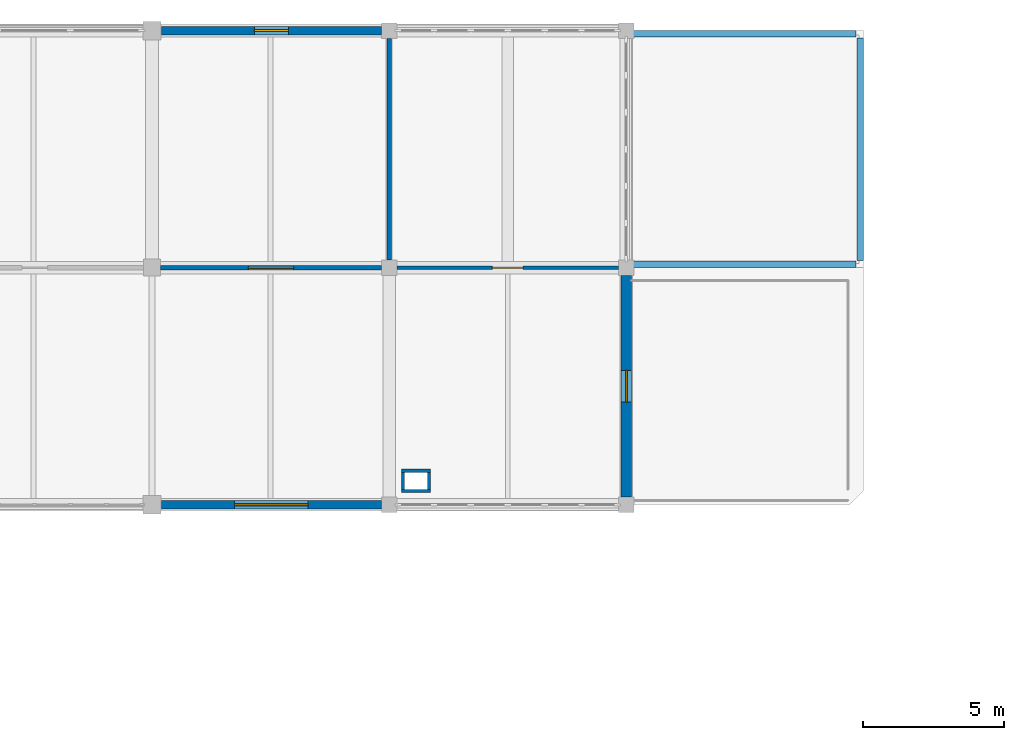
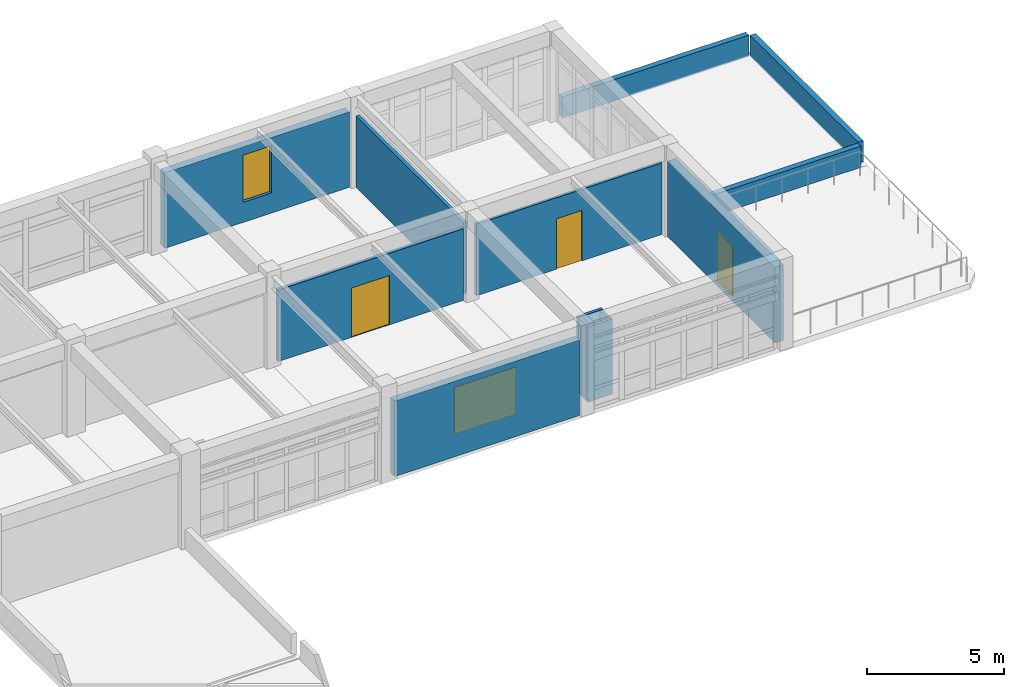
# One storey, part 70 of 74: 13 walls, 3 doors, 2 windows, 5 openings.
"""IFC4 building model written with IfcOpenShell, lengths in metres."""

from ifc_helpers import new_model, si_unit, direction, frame, frame_2d, origin, place, context, subcontext, project, spatial, rectangle, extrude, material, layer, layer_set, type_object, element, fill, save


model = new_model("IFC4")

# Units and contexts
model_context = context("Model", 3, precision=1e-05, world=origin(), true_north=direction((0.0, 1.0)))
body_context = subcontext(model_context, "Body", "Model", "MODEL_VIEW")
ifc_project = project(units=[si_unit("LENGTHUNIT", "METRE"), si_unit("AREAUNIT", "SQUARE_METRE"), si_unit("VOLUMEUNIT", "CUBIC_METRE"), si_unit("PLANEANGLEUNIT", "RADIAN"), si_unit("MASSUNIT", "GRAM", prefix="KILO")], contexts=[model_context])

# Site, building, storey
site_placement = place(None, origin())
site = spatial("IfcSite", under=ifc_project, at=site_placement, CompositionType="ELEMENT")
building_placement = place(site_placement, origin())
building = spatial("IfcBuilding", under=site, at=building_placement, Name="Porcellanite Civic Hall", CompositionType="ELEMENT")
storey_placement = place(building_placement, frame((0.0, 0.0, 14.760009765625)))
storey = spatial("IfcBuildingStorey", under=building, at=storey_placement, Name="L03", CompositionType="ELEMENT", Elevation=14.760009765625)

# Wall, opening, window
ifc_material_1 = material(Name="Precast concrete N40 (40 MPa)", Category="concrete")
ifc_layer_1 = layer(ifc_material_1, 0.300048828125)
ifc_layer_set_1 = layer_set([ifc_layer_1], Name="Precast concrete N40 (40 MPa)")
wall_type_1 = type_object("IfcWallType", Name="EW-ADM300", PredefinedType="SOLIDWALL", material=ifc_layer_set_1)
wall_1_placement = place(storey_placement, frame((142.52392578125, 100.800048828125, 0.0), z_axis=(0.0, 0.0, 1.0), x_axis=(-1.0, 0.0, 0.0)))
wall_1 = element("IfcWall", 1, at=wall_1_placement, inside=storey, type_object=wall_type_1, Name="Exterior wall L03 S 17-13", PredefinedType="SOLIDWALL", context=body_context, shape_type="SweptSolid", body=[
    extrude(rectangle(XDim=7.7978515625, YDim=0.300048828125, at=frame_2d((3.89892578125, 0.0))), origin(), (0.0, 0.0, 1.0), 3.369873046875),
])
opening_1_placement = place(wall_1_placement, frame((2.59912109375, 0.0, 0.89990234375)))
opening_1 = element("IfcOpeningElement", 2, at=opening_1_placement, cuts=wall_1, Name="Opening W07", PredefinedType="OPENING", context=body_context, shape_type="SweptSolid", body=[
    extrude(rectangle(XDim=2.60009765625, YDim=2.10009765625, at=frame_2d((1.300048828125, 1.050048828125))), frame((0.0, 0.14990234375, 0.0), z_axis=(0.0, -1.0, 0.0), x_axis=(1.0, 0.0, 0.0)), (0.0, 0.0, 1.0), 0.300048828125),
])
ifc_material_2 = material(Name="Cyclone laminated low-E glazing in anodised aluminium frame", Category="aluminium")
window_type_1 = type_object("IfcWindowType", Name="WN-07", PartitioningType="TRIPLE_PANEL_VERTICAL", PredefinedType="WINDOW", material=ifc_material_2)
window_1_placement = place(opening_1_placement, origin())
window_1 = element("IfcWindow", 3, at=window_1_placement, inside=storey, type_object=window_type_1, Name="Window W07 L03 S 17-13", OverallHeight=2.10009765625, OverallWidth=2.60009765625, PartitioningType="SINGLE_PANEL", PredefinedType="WINDOW", context=body_context, shape_type="SweptSolid", body=[
    extrude(rectangle(XDim=2.60009765625, YDim=2.10009765625, at=frame_2d((1.300048828125, 1.050048828125))), frame((0.0, 0.030029296875, 0.0), z_axis=(0.0, -1.0, 0.0), x_axis=(1.0, 0.0, 0.0)), (0.0, 0.0, 1.0), 0.06005859375),
])
fill(opening_1, window_1)

wall_2_placement = place(storey_placement, frame((134.72607421875, 117.60009765625, 0.0), z_axis=(0.0, 0.0, 1.0), x_axis=(1.0, 0.0, 0.0)))
wall_2 = element("IfcWall", 4, at=wall_2_placement, inside=storey, type_object=wall_type_1, Name="Exterior wall L03 N 17-14", PredefinedType="SOLIDWALL", context=body_context, shape_type="SweptSolid", body=[
    extrude(rectangle(XDim=7.7978515625, YDim=0.300048828125, at=frame_2d((3.89892578125, 0.0))), origin(), (0.0, 0.0, 1.0), 3.369873046875),
])
opening_2_placement = place(wall_2_placement, frame((3.299072265625, 0.0, 0.89990234375)))
opening_2 = element("IfcOpeningElement", 5, at=opening_2_placement, cuts=wall_2, Name="Opening W08", PredefinedType="OPENING", context=body_context, shape_type="SweptSolid", body=[
    extrude(rectangle(XDim=1.199951171875, YDim=2.10009765625, at=frame_2d((0.60009765625, 1.050048828125))), frame((0.0, 0.14990234375, 0.0), z_axis=(0.0, -1.0, 0.0), x_axis=(1.0, 0.0, 0.0)), (0.0, 0.0, 1.0), 0.300048828125),
])
ifc_material_3 = material(Name="Cyclone laminated low-E glazing in anodised aluminium frame", Category="aluminium")
window_type_2 = type_object("IfcWindowType", Name="WN-08", PartitioningType="SINGLE_PANEL", PredefinedType="WINDOW", material=ifc_material_3)
window_2_placement = place(opening_2_placement, origin())
window_2 = element("IfcWindow", 6, at=window_2_placement, inside=storey, type_object=window_type_2, Name="Window W08 L03 N 17-14", OverallHeight=2.10009765625, OverallWidth=1.199951171875, PartitioningType="SINGLE_PANEL", PredefinedType="WINDOW", context=body_context, shape_type="SweptSolid", body=[
    extrude(rectangle(XDim=1.199951171875, YDim=2.10009765625, at=frame_2d((0.60009765625, 1.050048828125))), frame((0.0, 0.030029296875, 0.0), z_axis=(0.0, -1.0, 0.0), x_axis=(1.0, 0.0, 0.0)), (0.0, 0.0, 1.0), 0.06005859375),
])
fill(opening_2, window_2)

# Wall, opening, door
ifc_material_4 = material(Name="Precast concrete N40 (40 MPa)", Category="concrete")
ifc_layer_2 = layer(ifc_material_4, 0.360107421875)
ifc_layer_set_2 = layer_set([ifc_layer_2], Name="Precast concrete N40 (40 MPa)")
wall_type_2 = type_object("IfcWallType", Name="EW-LIB360", PredefinedType="SOLIDWALL", material=ifc_layer_set_2)
wall_3_placement = place(storey_placement, frame((151.199951171875, 108.924072265625, 0.0), z_axis=(0.0, 0.0, 1.0), x_axis=(0.0, -1.0, 0.0)))
wall_3 = element("IfcWall", 7, at=wall_3_placement, inside=storey, type_object=wall_type_2, Name="Exterior wall L03 E 18-13", PredefinedType="SOLIDWALL", context=body_context, shape_type="SweptSolid", body=[
    extrude(rectangle(XDim=7.84814453125, YDim=0.360107421875, at=frame_2d((3.924072265625, 0.0))), origin(), (0.0, 0.0, 1.0), 3.369873046875),
])
opening_3_placement = place(wall_3_placement, frame((3.364013671875, 0.0, 0.0)))
opening_3 = element("IfcOpeningElement", 8, at=opening_3_placement, cuts=wall_3, Name="Opening TD-11", PredefinedType="OPENING", context=body_context, shape_type="SweptSolid", body=[
    extrude(rectangle(XDim=1.1201171875, YDim=2.199951171875, at=frame_2d((0.56005859375, 1.10009765625))), frame((0.0, 0.18017578125, 0.0), z_axis=(0.0, -1.0, 0.0), x_axis=(1.0, 0.0, 0.0)), (0.0, 0.0, 1.0), 0.360107421875),
])
ifc_material_5 = material(Name="Anodised aluminium and laminated safety glass", Category="aluminium")
door_type_1 = type_object("IfcDoorType", Name="DR-TER112", OperationType="NOTDEFINED", PredefinedType="DOOR", material=ifc_material_5)
door_1_placement = place(opening_3_placement, origin())
door_1 = element("IfcDoor", 9, at=door_1_placement, inside=storey, type_object=door_type_1, Name="Civic terrace door TD-11", OperationType="SINGLE_SWING_RIGHT", OverallHeight=2.199951171875, OverallWidth=1.1201171875, PredefinedType="DOOR", context=body_context, shape_type="SweptSolid", body=[
    extrude(rectangle(XDim=1.1201171875, YDim=2.199951171875, at=frame_2d((0.56005859375, 1.10009765625))), frame((0.0, 0.02490234375, 0.0), z_axis=(0.0, -1.0, 0.0), x_axis=(1.0, 0.0, 0.0)), (0.0, 0.0, 1.0), 0.050048828125),
])
fill(opening_3, door_1)

# Walls
ifc_material_6 = material(Name="Fire-rated shaftwall plasterboard on steel studs", Category="steel")
ifc_layer_3 = layer(ifc_material_6, 0.117919921875)
ifc_layer_set_3 = layer_set([ifc_layer_3], Name="Fire-rated shaftwall plasterboard on steel studs")
wall_type_3 = type_object("IfcWallType", Name="IW-FR118", PredefinedType="PARTITIONING", material=ifc_layer_set_3)
for number, where, z_axis, x_axis, name in (
    (10, (143.23193359375, 101.291015625, 0.0), (0.0, 0.0, 1.0), (1.0, 0.0, 0.0), "Fire riser shaftwall S L03 17-12"),
    (11, (143.23193359375, 102.009033203125, 0.0), (0.0, 0.0, 1.0), (1.0, 0.0, 0.0), "Fire riser shaftwall N L03 17-12"),
):
    element("IfcWall", number, at=place(storey_placement, frame(where, z_axis=z_axis, x_axis=x_axis)), inside=storey, type_object=wall_type_3, Name=name, PredefinedType="PARTITIONING", context=body_context, shape_type="SweptSolid", body=[
        extrude(rectangle(XDim=1.0361328125, YDim=0.117919921875, at=frame_2d((0.51806640625, 0.0))), origin(), (0.0, 0.0, 1.0), 3.35009765625),
    ])
for number, where, z_axis, x_axis, name in (
    (12, (143.291015625, 101.35009765625, 0.0), (0.0, 0.0, 1.0), (0.0, 1.0, 0.0), "Fire riser shaftwall W L03 17-12"),
    (13, (144.208984375, 101.35009765625, 0.0), (0.0, 0.0, 1.0), (0.0, 1.0, 0.0), "Fire riser shaftwall E L03 17-12"),
):
    element("IfcWall", number, at=place(storey_placement, frame(where, z_axis=z_axis, x_axis=x_axis)), inside=storey, type_object=wall_type_3, Name=name, PredefinedType="PARTITIONING", context=body_context, shape_type="SweptSolid", body=[
        extrude(rectangle(XDim=0.599853515625, YDim=0.117919921875, at=frame_2d((0.2998046875, 0.0))), origin(), (0.0, 0.0, 1.0), 3.35009765625),
    ])

# Wall, opening, door
ifc_material_7 = material(Name="Fire-rated plasterboard on light-gauge steel studs", Category="steel")
ifc_layer_4 = layer(ifc_material_7, 0.14794921875)
ifc_layer_set_4 = layer_set([ifc_layer_4], Name="Fire-rated plasterboard on light-gauge steel studs")
wall_type_4 = type_object("IfcWallType", Name="IW-FR148", PredefinedType="PARTITIONING", material=ifc_layer_set_4)
wall_4_placement = place(storey_placement, frame((134.701904296875, 109.199951171875, 0.0), z_axis=(0.0, 0.0, 1.0), x_axis=(1.0, 0.0, 0.0)))
wall_4 = element("IfcWall", 14, at=wall_4_placement, inside=storey, type_object=wall_type_4, Name="Fire compartment wall L03 H 17-13", PredefinedType="PARTITIONING", context=body_context, shape_type="SweptSolid", body=[
    extrude(rectangle(XDim=7.821044921875, YDim=0.14794921875, at=frame_2d((3.91064453125, 0.0))), origin(), (0.0, 0.0, 1.0), 3.18994140625),
])
opening_4_placement = place(wall_4_placement, frame((3.111083984375, 0.0, 0.0)))
opening_4 = element("IfcOpeningElement", 15, at=opening_4_placement, cuts=wall_4, Name="Opening D-L03-428", PredefinedType="OPENING", context=body_context, shape_type="SweptSolid", body=[
    extrude(rectangle(XDim=1.60009765625, YDim=2.199951171875, at=frame_2d((0.800048828125, 1.10009765625))), frame((0.0, 0.073974609375, 0.0), z_axis=(0.0, -1.0, 0.0), x_axis=(1.0, 0.0, 0.0)), (0.0, 0.0, 1.0), 0.14794921875),
])
ifc_material_8 = material(Name="Fire-rated steel and Georgian wired glass", Category="steel")
door_type_2 = type_object("IfcDoorType", Name="DR-FD160", OperationType="DOUBLE_DOOR_SINGLE_SWING", PredefinedType="DOOR", material=ifc_material_8)
door_2_placement = place(opening_4_placement, origin())
door_2 = element("IfcDoor", 16, at=door_2_placement, inside=storey, type_object=door_type_2, Name="Interior door D-L03-428", OperationType="DOUBLE_DOOR_SINGLE_SWING", OverallHeight=2.199951171875, OverallWidth=1.60009765625, PredefinedType="DOOR", context=body_context, shape_type="SweptSolid", body=[
    extrude(rectangle(XDim=1.60009765625, YDim=2.199951171875, at=frame_2d((0.800048828125, 1.10009765625))), frame((0.0, 0.02490234375, 0.0), z_axis=(0.0, -1.0, 0.0), x_axis=(1.0, 0.0, 0.0)), (0.0, 0.0, 1.0), 0.050048828125),
])
fill(opening_4, door_2)

# Wall
wall_5_placement = place(storey_placement, frame((142.800048828125, 109.47705078125, 0.0), z_axis=(0.0, 0.0, 1.0), x_axis=(0.0, 1.0, 0.0)))
element("IfcWall", 17, at=wall_5_placement, inside=storey, type_object=wall_type_4, Name="Fire compartment wall L03 V 17-14", PredefinedType="PARTITIONING", context=body_context, shape_type="SweptSolid", body=[
    extrude(rectangle(XDim=7.845947265625, YDim=0.14794921875, at=frame_2d((3.9228515625, 0.0))), origin(), (0.0, 0.0, 1.0), 3.18994140625),
])

# Wall, opening, door
ifc_material_9 = material(Name="Insulated acoustic plasterboard on light-gauge steel studs", Category="steel")
ifc_layer_5 = layer(ifc_material_9, 0.125)
ifc_layer_set_5 = layer_set([ifc_layer_5], Name="Insulated acoustic plasterboard on light-gauge steel studs")
wall_type_5 = type_object("IfcWallType", Name="IW-PT125", PredefinedType="PARTITIONING", material=ifc_layer_set_5)
wall_6_placement = place(storey_placement, frame((143.076904296875, 109.199951171875, 0.0), z_axis=(0.0, 0.0, 1.0), x_axis=(1.0, 0.0, 0.0)))
wall_6 = element("IfcWall", 18, at=wall_6_placement, inside=storey, type_object=wall_type_5, Name="Partition L03 H 18-13", PredefinedType="PARTITIONING", context=body_context, shape_type="SweptSolid", body=[
    extrude(rectangle(XDim=7.84619140625, YDim=0.125, at=frame_2d((3.923095703125, 0.0))), origin(), (0.0, 0.0, 1.0), 3.18994140625),
])
opening_5_placement = place(wall_6_placement, frame((3.383056640625, 0.0, 0.0)))
opening_5 = element("IfcOpeningElement", 19, at=opening_5_placement, cuts=wall_6, Name="Opening D-L03-429", PredefinedType="OPENING", context=body_context, shape_type="SweptSolid", body=[
    extrude(rectangle(XDim=1.080078125, YDim=2.25, at=frame_2d((0.5400390625, 1.125))), frame((0.0, 0.0625, 0.0), z_axis=(0.0, -1.0, 0.0), x_axis=(1.0, 0.0, 0.0)), (0.0, 0.0, 1.0), 0.125),
])
ifc_material_10 = material(Name="Solid-core spotted-gum timber", Category="wood")
door_type_3 = type_object("IfcDoorType", Name="DR-RM108", OperationType="NOTDEFINED", PredefinedType="DOOR", material=ifc_material_10)
door_3_placement = place(opening_5_placement, origin())
door_3 = element("IfcDoor", 20, at=door_3_placement, inside=storey, type_object=door_type_3, Name="Interior door D-L03-429", OperationType="SINGLE_SWING_LEFT", OverallHeight=2.25, OverallWidth=1.080078125, PredefinedType="DOOR", context=body_context, shape_type="SweptSolid", body=[
    extrude(rectangle(XDim=1.080078125, YDim=2.25, at=frame_2d((0.5400390625, 1.125))), frame((0.0, 0.02490234375, 0.0), z_axis=(0.0, -1.0, 0.0), x_axis=(1.0, 0.0, 0.0)), (0.0, 0.0, 1.0), 0.050048828125),
])
fill(opening_5, door_3)

# Walls
ifc_material_11 = material(Name="Precast concrete N40 (40 MPa)", Category="concrete")
ifc_layer_6 = layer(ifc_material_11, 0.22998046875)
ifc_layer_set_6 = layer_set([ifc_layer_6], Name="Precast concrete N40 (40 MPa)")
wall_type_6 = type_object("IfcWallType", Name="WP-PAR2", PredefinedType="PARAPET", material=ifc_layer_set_6)
for number, where, z_axis, x_axis, name in (
    (21, (159.340087890625, 109.31494140625, 0.0), (0.0, 0.0, 1.0), (-1.0, 0.0, 0.0), "Roof parapet L03 S 19-14"),
    (22, (151.4599609375, 117.485107421875, 0.0), (0.0, 0.0, 1.0), (1.0, 0.0, 0.0), "Roof parapet L03 N 19-14"),
    (23, (159.485107421875, 117.340087890625, 0.0), (0.0, 0.0, 1.0), (0.0, -1.0, 0.0), "Roof parapet L03 E 19-14"),
):
    element("IfcWall", number, at=place(storey_placement, frame(where, z_axis=z_axis, x_axis=x_axis)), inside=storey, type_object=wall_type_6, Name=name, PredefinedType="PARAPET", context=body_context, shape_type="SweptSolid", body=[
        extrude(rectangle(XDim=7.880126953125, YDim=0.22998046875, at=frame_2d((3.93994140625, 0.0))), origin(), (0.0, 0.0, 1.0), 0.949951171875),
    ])

save(model, "model.ifc")
